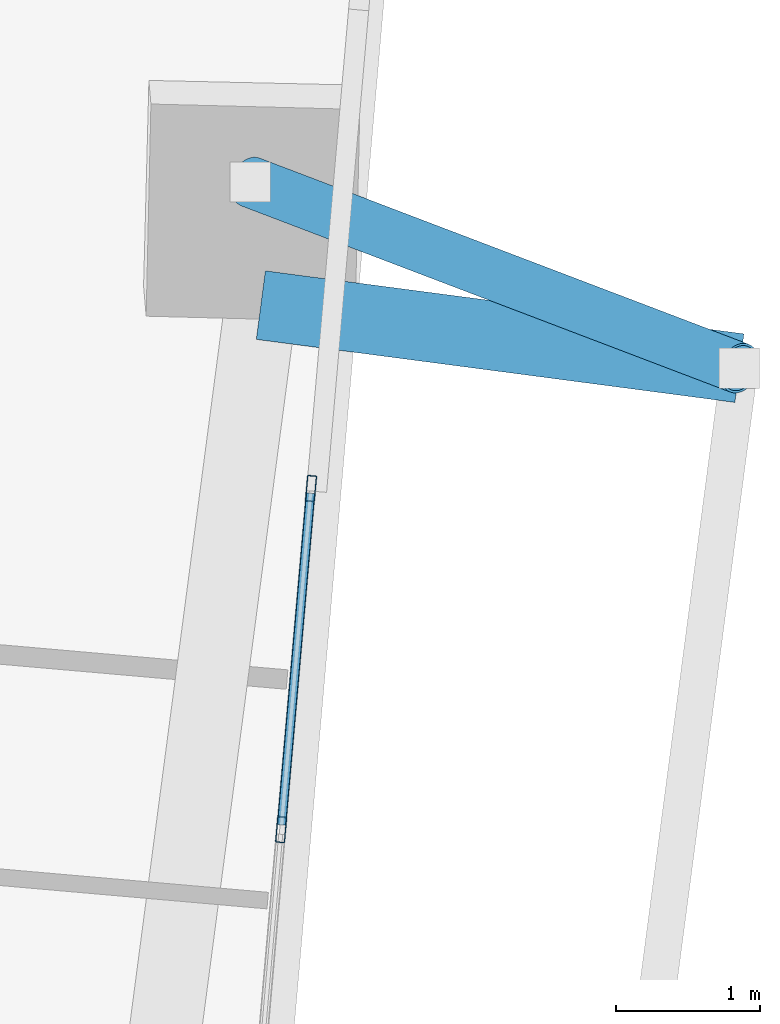
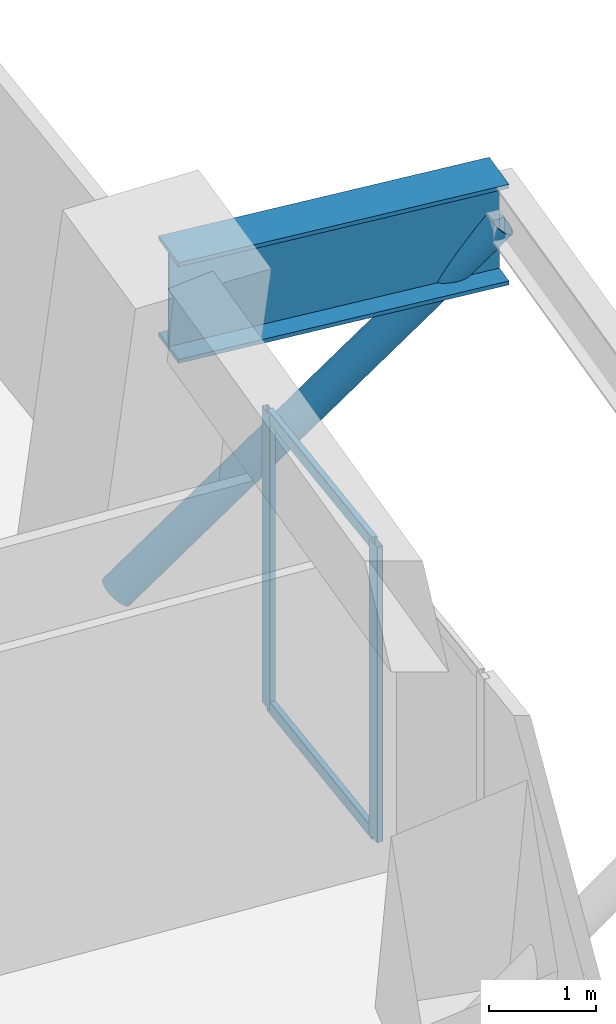
# One storey, part 12 of 23: 5 members, 1 beam, 1 element without a shape of its own.
"""IFC4 building model written with IfcOpenShell, lengths in metres."""

from ifc_helpers import new_model, si_unit, direction, frame, origin, origin_2d, place, context, subcontext, project, spatial, hollow_rectangle, hollow_circle, i_section, extrude, source, transform, mapped, material, material_profile, profile_set, type_object, element, aggregate, save


model = new_model("IFC4")

# Units and contexts
model_context = context("Model", 3, precision=1e-05, world=origin(), true_north=direction((0.0, 1.0)))
body_context = subcontext(model_context, "Body", "Model", "MODEL_VIEW")
ifc_project = project(units=[si_unit("LENGTHUNIT", "METRE"), si_unit("AREAUNIT", "SQUARE_METRE"), si_unit("VOLUMEUNIT", "CUBIC_METRE"), si_unit("PLANEANGLEUNIT", "RADIAN"), si_unit("MASSUNIT", "GRAM", prefix="KILO")], contexts=[model_context])

# Site, building, storey
site_placement = place(None, origin())
site = spatial("IfcSite", under=ifc_project, at=site_placement, CompositionType="ELEMENT")
building_placement = place(site_placement, origin())
building = spatial("IfcBuilding", under=site, at=building_placement, Name="Torre Montelarca", CompositionType="ELEMENT")
storey_placement = place(building_placement, frame((0.0, 0.0, 56.800048828125)))
storey = spatial("IfcBuildingStorey", under=building, at=storey_placement, Name="L12", CompositionType="ELEMENT", Elevation=56.800048828125)

# Member
ifc_material_1 = material(Name="Steel ASTM A500 Grade C", Category="steel")
ifc_material_profile_1 = material_profile(ifc_material_1, hollow_circle(Radius=0.177734375, WallThickness=0.015869140625, at=origin_2d()), Name="HSS355.6X15.9", Category="steel")
ifc_profile_set_1 = profile_set([ifc_material_profile_1], Name="Steel ASTM A500 Grade C")
member_type_1 = type_object("IfcMemberType", Name="MB-BR-CHS356-EXT", PredefinedType="BRACE", material=ifc_profile_set_1)
shared_shape_1 = source(origin(), body_context, "Body", "SweptSolid", [
    extrude(hollow_circle(Radius=0.177734375, WallThickness=0.015869140625, at=origin_2d()), origin(), (0.0, 0.0, 1.0), 5.28173828125),
])
member_1_placement = place(storey_placement, frame((60.64208984375, 35.760986328125, 0.14990234375), z_axis=(0.642611848143, -0.244619615909, 0.726093145636), x_axis=(0.355760490946, 0.934577162722, 0.0)))
element("IfcMember", 1, at=member_1_placement, inside=storey, type_object=member_type_1, Name="L13 Sliding Tray Exterior Diagonal Raker Strut E3", PredefinedType="BRACE", context=body_context, shape_type="MappedRepresentation", body=[
    mapped(shared_shape_1, transform((0.0, 0.0, 0.0), scale=1.0)),
])

# Beam
ifc_material_2 = material(Name="Steel ASTM A572 Grade 50", Category="steel")
ifc_material_profile_2 = material_profile(ifc_material_2, i_section(OverallWidth=0.47998046875, OverallDepth=1.14990234375, WebThickness=0.02197265625, FlangeThickness=0.044921875, at=origin_2d()), Name="PG1150X480X22X45", Category="steel")
ifc_profile_set_2 = profile_set([ifc_material_profile_2], Name="Steel ASTM A572 Grade 50")
beam_type = type_object("IfcBeamType", Name="BM-CG-PG1400-EXT", PredefinedType="USERDEFINED", material=ifc_profile_set_2)
shared_shape_2 = source(origin(), body_context, "Body", "SweptSolid", [
    extrude(i_section(OverallWidth=0.47998046875, OverallDepth=1.14990234375, WebThickness=0.02197265625, FlangeThickness=0.044921875, at=origin_2d()), origin(), (0.0, 0.0, 1.0), 3.349853515625),
])
beam_placement = place(storey_placement, frame((60.71484375, 34.90625, 3.98486328125), z_axis=(0.991444866817, -0.130526150873, 0.0), x_axis=(0.130526150873, 0.991444866817, 0.0)))
element("IfcBeam", 2, at=beam_placement, inside=storey, type_object=beam_type, Name="L12 Sliding Tray Cantilever Girder East Y=40m (FLR)", ObjectType="CANTILEVER GIRDER", PredefinedType="USERDEFINED", context=body_context, shape_type="MappedRepresentation", body=[
    mapped(shared_shape_2, transform((0.0, 0.0, 0.0), scale=1.0)),
])

# Curtain wall, members
ifc_material_3 = material(Name="Insulated low-E laminated glass", Category="glass")
curtain_wall_type = type_object("IfcCurtainWallType", Name="CW-SYS-Z1", PredefinedType="USERDEFINED", material=ifc_material_3)
curtain_wall_placement = place(storey_placement, origin())
curtain_wall = element("IfcCurtainWall", 3, at=curtain_wall_placement, inside=storey, type_object=curtain_wall_type, Name="L12 Curtain Wall Run CW-T3-L12-E06-B2", ObjectType="UNITISED GLAZING", PredefinedType="USERDEFINED")
ifc_material_4 = material(Name="Anodised aluminium AA 6063-T6", Category="aluminium")
ifc_material_profile_3 = material_profile(ifc_material_4, hollow_rectangle(XDim=0.06494140625, YDim=0.179931640625, WallThickness=0.00390625, InnerFilletRadius=0.00390625, OuterFilletRadius=0.008056640625, at=origin_2d()), Name="ALU65X180X4", Category="aluminium")
ifc_profile_set_3 = profile_set([ifc_material_profile_3], Name="Anodised aluminium AA 6063-T6")
member_type_2 = type_object("IfcMemberType", Name="CWM-ALU180", PredefinedType="MULLION", material=ifc_profile_set_3)
shared_shape_3 = source(origin(), body_context, "Body", "SweptSolid", [
    extrude(hollow_rectangle(XDim=0.06494140625, YDim=0.179931640625, WallThickness=0.00390625, InnerFilletRadius=0.00390625, OuterFilletRadius=0.008056640625, at=origin_2d()), origin(), (0.0, 0.0, 1.0), 3.375),
])
member_2_placement = place(storey_placement, frame((60.855712890625, 31.26611328125, 0.0), z_axis=(0.0, 0.0, 1.0), x_axis=(-0.996193086655, 0.087174159591, 0.0)))
member_2 = element("IfcMember", 4, at=member_2_placement, type_object=member_type_2, Name="CW mullion 2", PredefinedType="MULLION", context=body_context, shape_type="MappedRepresentation", body=[
    mapped(shared_shape_3, transform((0.0, 0.0, 0.0), scale=1.0)),
])
member_3_placement = place(storey_placement, frame((61.06298828125, 33.633544921875, 0.0), z_axis=(0.0, 0.0, 1.0), x_axis=(-0.996193086655, 0.087174159591, 0.0)))
member_3 = element("IfcMember", 5, at=member_3_placement, type_object=member_type_2, Name="CW mullion 3", PredefinedType="MULLION", context=body_context, shape_type="MappedRepresentation", body=[
    mapped(shared_shape_3, transform((0.0, 0.0, 0.0), scale=1.0)),
])
ifc_material_profile_4 = material_profile(ifc_material_4, hollow_rectangle(XDim=0.06494140625, YDim=0.139892578125, WallThickness=0.00390625, InnerFilletRadius=0.00390625, OuterFilletRadius=0.008056640625, at=origin_2d()), Name="ALU65X140X4", Category="aluminium")
ifc_profile_set_4 = profile_set([ifc_material_profile_4], Name="Anodised aluminium AA 6063-T6")
member_type_3 = type_object("IfcMemberType", Name="CWT-ALU140", PredefinedType="USERDEFINED", material=ifc_profile_set_4)
shared_shape_4 = source(origin(), body_context, "Body", "SweptSolid", [
    extrude(hollow_rectangle(XDim=0.06494140625, YDim=0.139892578125, WallThickness=0.00390625, InnerFilletRadius=0.00390625, OuterFilletRadius=0.008056640625, at=origin_2d()), origin(), (0.0, 0.0, 1.0), 2.3115234375),
])
member_4_placement = place(storey_placement, frame((60.858642578125, 31.298583984375, 0.032470703125), z_axis=(0.087135505349, 0.996196468428, 0.0), x_axis=(-0.996196468428, 0.087135505349, 0.0)))
member_4 = element("IfcMember", 6, at=member_4_placement, type_object=member_type_3, Name="CW transom 2.1", ObjectType="TRANSOM", PredefinedType="USERDEFINED", context=body_context, shape_type="MappedRepresentation", body=[
    mapped(shared_shape_4, transform((0.0, 0.0, 0.0), scale=1.0)),
])
member_5_placement = place(storey_placement, frame((60.858642578125, 31.298583984375, 3.342529296875), z_axis=(0.087135505349, 0.996196468428, 0.0), x_axis=(-0.996196468428, 0.087135505349, 0.0)))
member_5 = element("IfcMember", 7, at=member_5_placement, type_object=member_type_3, Name="CW transom 2.2", ObjectType="TRANSOM", PredefinedType="USERDEFINED", context=body_context, shape_type="MappedRepresentation", body=[
    mapped(shared_shape_4, transform((0.0, 0.0, 0.0), scale=1.0)),
])
aggregate(curtain_wall, [member_2, member_3, member_4, member_5])

save(model, "model.ifc")
